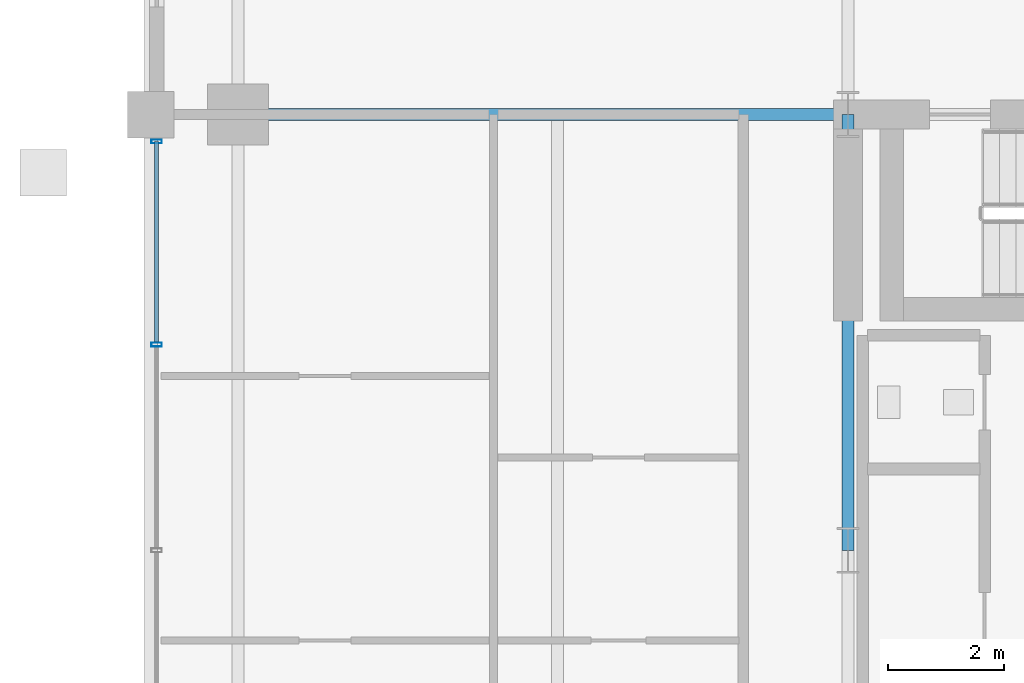
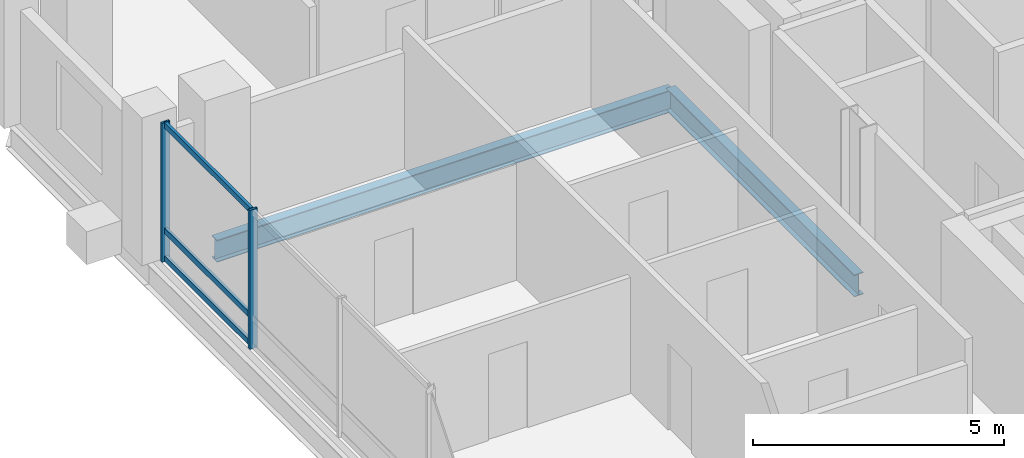
# One storey, part 8 of 24: 5 members, 2 beams, 1 element without a shape of its own.
"""IFC4 building model written with IfcOpenShell, lengths in metres."""

import ifcopenshell
import ifcopenshell.guid

model = None  # the IFC model being written
_history = None  # IfcOwnerHistory: only IFC2X3 demands one
_inside = {}  # id of a spatial element -> (the spatial element, [elements in it])
_under = {}  # id of a project, library or spatial element -> (it, [spatial elements below it])
_declared = {}  # id of a project -> (the project, [libraries it declares])
_typed = {}  # id of a type object -> (the type object, [elements of that type])
_made_of = {}  # id of a material, layer set ... -> (it, [elements and type objects made of it])


def new_model(schema):
    """Start an empty IFC model of exactly this schema.

    Asked for "IFC4X3", IfcOpenShell would pick the latest addendum, in which some entities
    have other attributes; the version numbers below select the first issue.
    IFC2X3 requires an IfcOwnerHistory on every rooted entity: one is made here for all.
    """
    global model, _history
    if schema == "IFC4X3":
        model = ifcopenshell.file(schema_version=(4, 3, 0, 0))
    else:
        model = ifcopenshell.file(schema=schema)
    _inside.clear()
    _under.clear()
    _declared.clear()
    _typed.clear()
    _made_of.clear()
    _history = None
    if model.schema == "IFC2X3":
        org = make("IfcOrganization", Name="unknown")
        user = make(
            "IfcPersonAndOrganization",
            ThePerson=make("IfcPerson", FamilyName="unknown"),
            TheOrganization=org,
        )
        app = make(
            "IfcApplication",
            ApplicationDeveloper=org,
            Version="unknown",
            ApplicationFullName="unknown",
            ApplicationIdentifier="unknown",
        )
        _history = make(
            "IfcOwnerHistory",
            OwningUser=user,
            OwningApplication=app,
            ChangeAction="ADDED",
            CreationDate=0,
        )
    return model


def make(cls, **values):
    """One entity of the class cls with the attributes given. An attribute that is None is left unset."""
    return model.create_entity(
        cls, **{name: value for name, value in values.items() if value is not None}
    )


def rooted(cls, **values):
    """An entity with a GlobalId (a new one), such as an element, a storey or a relation."""
    return make(cls, GlobalId=ifcopenshell.guid.new(), OwnerHistory=_history, **values)


def si_unit(unit_type, name, prefix=None):
    """IfcSIUnit, for example si_unit("LENGTHUNIT", "METRE", prefix="MILLI")."""
    return make("IfcSIUnit", UnitType=unit_type, Prefix=prefix, Name=name)


def assignment(units):
    """IfcUnitAssignment: the units of a project."""
    return None if units is None else make("IfcUnitAssignment", Units=units)


def point(xyz):
    """IfcCartesianPoint."""
    return None if xyz is None else make("IfcCartesianPoint", Coordinates=xyz)


def direction(xyz):
    """IfcDirection."""
    return None if xyz is None else make("IfcDirection", DirectionRatios=xyz)


def frame(location, z_axis=None, x_axis=None):
    """IfcAxis2Placement3D, a coordinate frame: its origin and axes. An axis left out is left unset."""
    return make(
        "IfcAxis2Placement3D",
        Location=point(location),
        Axis=direction(z_axis),
        RefDirection=direction(x_axis),
    )


def frame_2d(location, x_axis=None):
    """IfcAxis2Placement2D, a coordinate frame in the plane: its origin and x axis."""
    return make(
        "IfcAxis2Placement2D", Location=point(location), RefDirection=direction(x_axis)
    )


def origin():
    """The frame at (0, 0, 0) with its axes left unset."""
    return frame((0.0, 0.0, 0.0))


def origin_2d():
    """The frame at (0, 0) in the plane with its x axis left unset."""
    return frame_2d((0.0, 0.0))


def place(relative_to, where):
    """IfcLocalPlacement: puts the frame where relative to a parent placement (None: the world)."""
    return make(
        "IfcLocalPlacement", PlacementRelTo=relative_to, RelativePlacement=where
    )


def context(
    kind, dimensions, precision=None, world=None, true_north=None, identifier=None
):
    """IfcGeometricRepresentationContext, for example the 3D "Model" context."""
    return make(
        "IfcGeometricRepresentationContext",
        ContextIdentifier=identifier,
        ContextType=kind,
        CoordinateSpaceDimension=dimensions,
        Precision=precision,
        WorldCoordinateSystem=world,
        TrueNorth=true_north,
    )


def subcontext(parent, identifier, kind, view, scale=None):
    """IfcGeometricRepresentationSubContext, for example "Body" below "Model"."""
    return make(
        "IfcGeometricRepresentationSubContext",
        ContextIdentifier=identifier,
        ContextType=kind,
        ParentContext=parent,
        TargetScale=scale,
        TargetView=view,
    )


def project(units=None, contexts=None):
    """IfcProject with its units and contexts."""
    return rooted(
        "IfcProject",
        Name="project",
        RepresentationContexts=contexts,
        UnitsInContext=assignment(units),
    )


def spatial(cls, under=None, at=None, **own):
    """A site, building, storey or space (cls), placed at a placement, below another one or the project."""
    s = rooted(cls, ObjectPlacement=at, **own)
    if under is not None:
        _under.setdefault(under.id(), (under, []))[1].append(s)
    return s


def profile(cls, at=None, kind="AREA", **sizes):
    """A parametric profile (cls). Its sizes go by their IFC names, for example OverallWidth=200.0."""
    return make(cls, ProfileType=kind, Position=at, **sizes)


def hollow_rectangle(**sizes):
    """IfcRectangleHollowProfileDef."""
    return profile("IfcRectangleHollowProfileDef", **sizes)


def i_section(**sizes):
    """IfcIShapeProfileDef."""
    return profile("IfcIShapeProfileDef", **sizes)


def extrude(swept, where, along, depth):
    """IfcExtrudedAreaSolid: the profile swept, set in the frame where, extruded along a direction by depth."""
    return make(
        "IfcExtrudedAreaSolid",
        SweptArea=swept,
        Position=where,
        ExtrudedDirection=direction(along),
        Depth=depth,
    )


def shape(context_of_items, identifier, shape_type, items):
    """IfcShapeRepresentation: the items that make up one representation, for example the "Body"."""
    return make(
        "IfcShapeRepresentation",
        ContextOfItems=context_of_items,
        RepresentationIdentifier=identifier,
        RepresentationType=shape_type,
        Items=items,
    )


def material(Name=None, Category=None):
    """IfcMaterial."""
    return make("IfcMaterial", Name=Name, Category=Category)


def layer(
    of_material, thickness, ventilated=None, Name=None, Category=None, Priority=None
):
    """IfcMaterialLayer: one layer of a wall or slab, of a material (None: an air gap)."""
    return make(
        "IfcMaterialLayer",
        Material=of_material,
        LayerThickness=thickness,
        IsVentilated=ventilated,
        Name=Name,
        Category=Category,
        Priority=Priority,
    )


def layer_set(layers, Name=None):
    """IfcMaterialLayerSet."""
    return make("IfcMaterialLayerSet", MaterialLayers=layers, LayerSetName=Name)


def material_profile(
    of_material, cross_section, Name=None, Category=None, Priority=None
):
    """IfcMaterialProfile: a cross section and its material."""
    return make(
        "IfcMaterialProfile",
        Name=Name,
        Material=of_material,
        Profile=cross_section,
        Priority=Priority,
        Category=Category,
    )


def profile_set(profiles, Name=None, composite=None):
    """IfcMaterialProfileSet."""
    return make(
        "IfcMaterialProfileSet",
        Name=Name,
        MaterialProfiles=profiles,
        CompositeProfile=composite,
    )


def made_of(thing, what):
    """Note that an element or type object is made of a material, layer set ...; save() writes the relation."""
    if what is not None:
        _made_of.setdefault(what.id(), (what, []))[1].append(thing)
    return thing


def type_object(cls, material=None, **own):
    """A type object (cls), such as IfcWallType, which elements share."""
    return made_of(rooted(cls, **own), material)


def element(
    cls,
    number,
    at=None,
    inside=None,
    cuts=None,
    type_object=None,
    material=None,
    context=None,
    identifier="Body",
    shape_type=None,
    held_by="IfcProductDefinitionShape",
    body=None,
    shapes=None,
    **own,
):
    """One element of the class cls, such as IfcWall. Its Tag is "e" and its number.

    at: its placement. inside: the storey or other place that contains it. cuts: it is an
    opening in that element (IfcRelVoidsElement). A single representation is given by context,
    identifier, shape_type and body (its items); several are given by shapes. held_by: the class
    of the entity that holds the representations. save() writes the other relations.
    """
    e = rooted(cls, Tag="e%d" % number, ObjectPlacement=at, **own)
    if body is not None:
        shapes = [shape(context, identifier, shape_type, body)]
    if shapes is not None:
        e.Representation = make(held_by, Representations=shapes)
    if inside is not None:
        _inside.setdefault(inside.id(), (inside, []))[1].append(e)
    if cuts is not None:
        rooted(
            "IfcRelVoidsElement", RelatingBuildingElement=cuts, RelatedOpeningElement=e
        )
    if type_object is not None:
        _typed.setdefault(type_object.id(), (type_object, []))[1].append(e)
    return made_of(e, material)


def aggregate(whole, parts):
    """IfcRelAggregates: a whole, such as a stair, and the parts it consists of."""
    return rooted("IfcRelAggregates", RelatingObject=whole, RelatedObjects=parts)


def save(model, path):
    """Write the relations noted so far, then the file.

    IfcRelAggregates (storeys below a building ...), IfcRelContainedInSpatialStructure (elements
    in a storey), IfcRelDefinesByType, IfcRelAssociatesMaterial and IfcRelDeclares: one each for
    every whole, place, type object, material and project.
    """
    for whole, parts in _under.values():
        aggregate(whole, parts)
    for where, things in _inside.values():
        rooted(
            "IfcRelContainedInSpatialStructure",
            RelatedElements=things,
            RelatingStructure=where,
        )
    for kind, things in _typed.values():
        rooted("IfcRelDefinesByType", RelatedObjects=things, RelatingType=kind)
    for what, things in _made_of.values():
        rooted("IfcRelAssociatesMaterial", RelatedObjects=things, RelatingMaterial=what)
    for by, libraries in _declared.values():
        rooted("IfcRelDeclares", RelatingContext=by, RelatedDefinitions=libraries)
    model.write(path)


model = new_model("IFC4")

# Units and contexts
model_context = context("Model", 3, precision=1e-05, world=origin(), true_north=direction((0.0, 1.0)))
body_context = subcontext(model_context, "Body", "Model", "MODEL_VIEW")
ifc_project = project(units=[si_unit("LENGTHUNIT", "METRE"), si_unit("AREAUNIT", "SQUARE_METRE"), si_unit("VOLUMEUNIT", "CUBIC_METRE"), si_unit("PLANEANGLEUNIT", "RADIAN"), si_unit("MASSUNIT", "GRAM", prefix="KILO")], contexts=[model_context])

# Site, building, storey
site_placement = place(None, origin())
site = spatial("IfcSite", under=ifc_project, at=site_placement, CompositionType="ELEMENT")
building_placement = place(site_placement, origin())
building = spatial("IfcBuilding", under=site, at=building_placement, Name="Barlavira Tower and Art Museum", CompositionType="ELEMENT")
storey_placement = place(building_placement, frame((0.0, 0.0, 190.800048828125)))
storey = spatial("IfcBuildingStorey", under=building, at=storey_placement, Name="L49", CompositionType="ELEMENT", Elevation=190.800048828125)

# Curtain wall, members
ifc_material_1 = material(Name="Low-iron coastal laminated glass", Category="glass")
ifc_layer = layer(ifc_material_1, 0.199951171875, Name="Low-iron coastal laminated glass")
ifc_layer_set = layer_set([ifc_layer], Name="Low-iron coastal laminated glass")
curtain_wall_type = type_object("IfcCurtainWallType", Name="Pale-Metal Unitised Curtain Wall Zone 3", PredefinedType="NOTDEFINED", material=ifc_layer_set)
curtain_wall_placement = place(storey_placement, origin())
curtain_wall = element("IfcCurtainWall", 1, at=curtain_wall_placement, inside=storey, type_object=curtain_wall_type, Name="L49 Curtain Wall CW3-L49-W-B3", PredefinedType="NOTDEFINED")
ifc_material_2 = material(Name="Pale anodised aluminium", Category="aluminium")
ifc_material_profile_1 = material_profile(ifc_material_2, hollow_rectangle(XDim=0.06494140625, YDim=0.179931640625, WallThickness=0.00390625, at=origin_2d()), Name="ALU-MULL 65x180x4")
ifc_profile_set_1 = profile_set([ifc_material_profile_1], Name="Pale anodised aluminium")
member_type_1 = type_object("IfcMemberType", Name="Curtain Wall Pale-Metal Mullion 65x180", PredefinedType="MULLION", material=ifc_profile_set_1)
member_1_placement = place(storey_placement, frame((-18.39990234375, 7.034912109375, 0.0), z_axis=(0.0, 0.0, 1.0), x_axis=(0.0, -1.0, 0.0)))
member_1 = element("IfcMember", 2, at=member_1_placement, type_object=member_type_1, Name="CW3-L49-W-B3 Mullion 0", PredefinedType="MULLION", context=body_context, shape_type="SweptSolid", body=[
    extrude(hollow_rectangle(XDim=0.06494140625, YDim=0.179931640625, WallThickness=0.00390625, at=origin_2d()), origin(), (0.0, 0.0, 1.0), 3.3798828125),
])
member_2_placement = place(storey_placement, frame((-18.39990234375, 3.5400390625, 0.0), z_axis=(0.0, 0.0, 1.0), x_axis=(0.0, -1.0, 0.0)))
member_2 = element("IfcMember", 3, at=member_2_placement, type_object=member_type_1, Name="CW3-L49-W-B3 Mullion 1", PredefinedType="MULLION", context=body_context, shape_type="SweptSolid", body=[
    extrude(hollow_rectangle(XDim=0.06494140625, YDim=0.179931640625, WallThickness=0.00390625, at=origin_2d()), origin(), (0.0, 0.0, 1.0), 3.3798828125),
])
ifc_material_profile_2 = material_profile(ifc_material_2, hollow_rectangle(XDim=0.06494140625, YDim=0.139892578125, WallThickness=0.00390625, at=origin_2d()), Name="ALU-TRAN 65x140x4")
ifc_profile_set_2 = profile_set([ifc_material_profile_2], Name="Pale anodised aluminium")
member_type_2 = type_object("IfcMemberType", Name="Curtain Wall Pale-Metal Transom 65x140", PredefinedType="USERDEFINED", material=ifc_profile_set_2)
member_3_placement = place(storey_placement, frame((-18.39990234375, 7.034912109375, 0.070068359375), z_axis=(0.0, -1.0, 0.0), x_axis=(1.0, 0.0, 0.0)))
member_3 = element("IfcMember", 4, at=member_3_placement, type_object=member_type_2, Name="CW3-L49-W-B3 Transom 0.1", ObjectType="TRANSOM", PredefinedType="USERDEFINED", context=body_context, shape_type="SweptSolid", body=[
    extrude(hollow_rectangle(XDim=0.06494140625, YDim=0.139892578125, WallThickness=0.00390625, at=origin_2d()), origin(), (0.0, 0.0, 1.0), 3.449951171875),
])
member_4_placement = place(storey_placement, frame((-18.39990234375, 7.034912109375, 0.743896484375), z_axis=(0.0, -1.0, 0.0), x_axis=(1.0, 0.0, 0.0)))
member_4 = element("IfcMember", 5, at=member_4_placement, type_object=member_type_2, Name="CW3-L49-W-B3 Transom 0.2", ObjectType="TRANSOM", PredefinedType="USERDEFINED", context=body_context, shape_type="SweptSolid", body=[
    extrude(hollow_rectangle(XDim=0.06494140625, YDim=0.139892578125, WallThickness=0.00390625, at=origin_2d()), origin(), (0.0, 0.0, 1.0), 3.449951171875),
])
member_5_placement = place(storey_placement, frame((-18.39990234375, 7.034912109375, 3.31005859375), z_axis=(0.0, -1.0, 0.0), x_axis=(1.0, 0.0, 0.0)))
member_5 = element("IfcMember", 6, at=member_5_placement, type_object=member_type_2, Name="CW3-L49-W-B3 Transom 0.3", ObjectType="TRANSOM", PredefinedType="USERDEFINED", context=body_context, shape_type="SweptSolid", body=[
    extrude(hollow_rectangle(XDim=0.06494140625, YDim=0.139892578125, WallThickness=0.00390625, at=origin_2d()), origin(), (0.0, 0.0, 1.0), 3.449951171875),
])
aggregate(curtain_wall, [member_1, member_2, member_3, member_4, member_5])

# Beams
ifc_material_3 = material(Name="Steel S355", Category="steel")
ifc_material_profile_3 = material_profile(ifc_material_3, i_section(OverallWidth=0.2109375, OverallDepth=0.5390625, WebThickness=0.01171875, FlangeThickness=0.018798828125, at=origin_2d()), Name="W530x109.0")
ifc_profile_set_3 = profile_set([ifc_material_profile_3], Name="Steel S355")
beam_type = type_object("IfcBeamType", Name="Zone 3-4 Primary Floor Girder W530x109 Steel S355", PredefinedType="BEAM", material=ifc_profile_set_3)
beam_1_placement = place(storey_placement, frame((-6.5, 0.0, -0.489501953125), z_axis=(0.0, 1.0, 0.0), x_axis=(-1.0, 0.0, 0.0)))
element("IfcBeam", 7, at=beam_1_placement, inside=storey, type_object=beam_type, Name="L49 Girder C-W2", PredefinedType="BEAM", context=body_context, shape_type="SweptSolid", body=[
    extrude(i_section(OverallWidth=0.2109375, OverallDepth=0.5390625, WebThickness=0.01171875, FlangeThickness=0.018798828125, at=origin_2d()), origin(), (0.0, 0.0, 1.0), 7.5),
])
beam_2_placement = place(storey_placement, frame((-17.0, 7.5, -0.489501953125), z_axis=(1.0, 0.0, 0.0), x_axis=(0.0, 1.0, 0.0)))
element("IfcBeam", 8, at=beam_2_placement, inside=storey, type_object=beam_type, Name="L49 Girder R-W2", PredefinedType="BEAM", context=body_context, shape_type="SweptSolid", body=[
    extrude(i_section(OverallWidth=0.2109375, OverallDepth=0.5390625, WebThickness=0.01171875, FlangeThickness=0.018798828125, at=origin_2d()), origin(), (0.0, 0.0, 1.0), 10.5),
])

save(model, "model.ifc")
